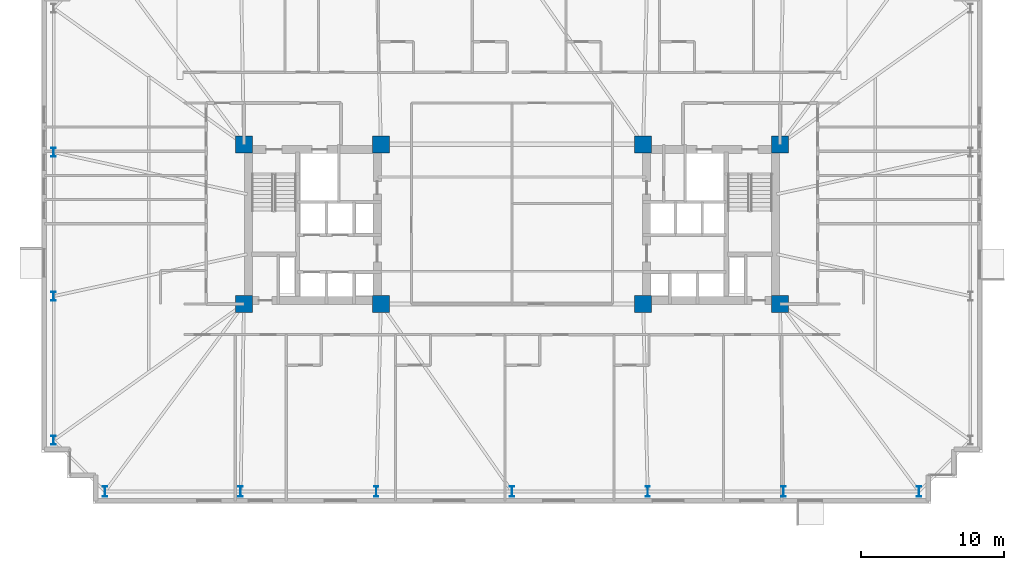
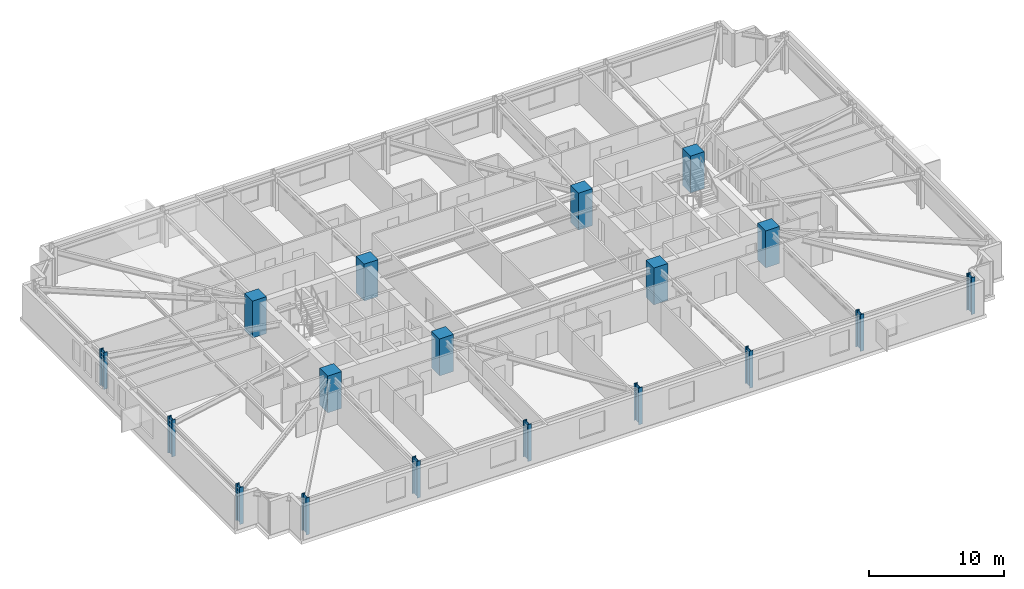
# One storey, part 1 of 22: 18 columns.
"""IFC4 building model written with IfcOpenShell, lengths in metres."""

from ifc_helpers import new_model, si_unit, direction, frame, origin, origin_2d, place, context, subcontext, project, spatial, rectangle, i_section, extrude, material, material_profile, profile_set, type_object, element, save


model = new_model("IFC4")

# Units and contexts
model_context = context("Model", 3, precision=1e-05, world=origin(), true_north=direction((0.0, 1.0)))
body_context = subcontext(model_context, "Body", "Model", "MODEL_VIEW")
ifc_project = project(units=[si_unit("LENGTHUNIT", "METRE"), si_unit("AREAUNIT", "SQUARE_METRE"), si_unit("VOLUMEUNIT", "CUBIC_METRE"), si_unit("PLANEANGLEUNIT", "RADIAN"), si_unit("MASSUNIT", "GRAM", prefix="KILO")], contexts=[model_context])

# Site, building, storey
site_placement = place(None, origin())
site = spatial("IfcSite", under=ifc_project, at=site_placement, CompositionType="ELEMENT")
building_placement = place(site_placement, origin())
building = spatial("IfcBuilding", under=site, at=building_placement, Name="Qobustan Lattice House", CompositionType="ELEMENT")
storey_placement = place(building_placement, frame((0.0, 0.0, 33.699951171875)))
storey = spatial("IfcBuildingStorey", under=building, at=storey_placement, Name="L08", CompositionType="ELEMENT", Elevation=33.699951171875)

# Columns
ifc_material_1 = material(Name="Concrete C60/75", Category="concrete")
ifc_material_profile_1 = material_profile(ifc_material_1, rectangle(XDim=1.199951171875, YDim=1.199951171875, at=origin_2d()), Name="RC1200x1200")
ifc_profile_set_1 = profile_set([ifc_material_profile_1], Name="Concrete C60/75")
column_type_1 = type_object("IfcColumnType", Name="COL-RC-1200", PredefinedType="COLUMN", material=ifc_profile_set_1)
for number, where, z_axis, x_axis, name in (
    (1, (-18.800048828125, -5.60009765625, 0.0), (0.0, 0.0, 1.0), (1.0, 0.0, 0.0), "L08 core mega-column CW-SW"),
    (2, (-18.800048828125, 5.60009765625, 0.0), (0.0, 0.0, 1.0), (1.0, 0.0, 0.0), "L08 core mega-column CW-NW"),
    (3, (-9.199951171875, -5.60009765625, 0.0), (0.0, 0.0, 1.0), (1.0, 0.0, 0.0), "L08 core mega-column CW-SE"),
    (4, (-9.199951171875, 5.60009765625, 0.0), (0.0, 0.0, 1.0), (1.0, 0.0, 0.0), "L08 core mega-column CW-NE"),
    (5, (9.199951171875, -5.60009765625, 0.0), (0.0, 0.0, 1.0), (1.0, 0.0, 0.0), "L08 core mega-column CE-SW"),
    (6, (9.199951171875, 5.60009765625, 0.0), (0.0, 0.0, 1.0), (1.0, 0.0, 0.0), "L08 core mega-column CE-NW"),
    (7, (18.800048828125, -5.60009765625, 0.0), (0.0, 0.0, 1.0), (1.0, 0.0, 0.0), "L08 core mega-column CE-SE"),
    (8, (18.800048828125, 5.60009765625, 0.0), (0.0, 0.0, 1.0), (1.0, 0.0, 0.0), "L08 core mega-column CE-NE"),
):
    element("IfcColumn", number, at=place(storey_placement, frame(where, z_axis=z_axis, x_axis=x_axis)), inside=storey, type_object=column_type_1, Name=name, PredefinedType="COLUMN", context=body_context, shape_type="SweptSolid", body=[
        extrude(rectangle(XDim=1.199951171875, YDim=1.199951171875, at=origin_2d()), origin(), (0.0, 0.0, 1.0), 3.35009765625),
    ])
ifc_material_2 = material(Name="Steel S460", Category="steel")
ifc_material_profile_2 = material_profile(ifc_material_2, i_section(OverallWidth=0.304931640625, OverallDepth=0.6201171875, WebThickness=0.02099609375, FlangeThickness=0.0400390625, FilletRadius=0.027099609375, at=origin_2d()), Name="HEM600")
ifc_profile_set_2 = profile_set([ifc_material_profile_2], Name="Steel S460")
column_type_2 = type_object("IfcColumnType", Name="COL-ST-HEM600", PredefinedType="COLUMN", material=ifc_profile_set_2)
for number, where, z_axis, x_axis, name in (
    (9, (-32.14990234375, 5.050048828125, 0.0), (0.0, 0.0, 1.0), (1.0, 0.0, 0.0), "L08 B1 perimeter column W2"),
    (10, (-32.14990234375, -5.050048828125, 0.0), (0.0, 0.0, 1.0), (1.0, 0.0, 0.0), "L08 B1 perimeter column W3"),
    (11, (-32.14990234375, -15.14990234375, 0.0), (0.0, 0.0, 1.0), (1.0, 0.0, 0.0), "L08 B1 perimeter column W4"),
):
    element("IfcColumn", number, at=place(storey_placement, frame(where, z_axis=z_axis, x_axis=x_axis)), inside=storey, type_object=column_type_2, Name=name, PredefinedType="COLUMN", context=body_context, shape_type="SweptSolid", body=[
        extrude(i_section(OverallWidth=0.304931640625, OverallDepth=0.6201171875, WebThickness=0.02099609375, FlangeThickness=0.0400390625, FilletRadius=0.027099609375, at=origin_2d()), origin(), (0.0, 0.0, 1.0), 3.35009765625),
    ])
ifc_material_3 = material(Name="Steel S460", Category="steel")
ifc_material_profile_3 = material_profile(ifc_material_3, i_section(OverallWidth=0.303955078125, OverallDepth=0.716064453125, WebThickness=0.02099609375, FlangeThickness=0.0400390625, FilletRadius=0.027099609375, at=origin_2d()), Name="HEM700")
ifc_profile_set_3 = profile_set([ifc_material_profile_3], Name="Steel S460")
column_type_3 = type_object("IfcColumnType", Name="COL-ST-HEM700", PredefinedType="COLUMN", material=ifc_profile_set_3)
for number, where, z_axis, x_axis, name in (
    (12, (-28.550048828125, -18.75, 0.0), (0.0, 0.0, 1.0), (1.0, 0.0, 0.0), "L08 B1 perimeter column S1"),
    (13, (-19.033203125, -18.75, 0.0), (0.0, 0.0, 1.0), (1.0, 0.0, 0.0), "L08 B1 perimeter column S2"),
    (14, (-9.5166015625, -18.75, 0.0), (0.0, 0.0, 1.0), (1.0, 0.0, 0.0), "L08 B1 perimeter column S3"),
    (15, (0.0, -18.75, 0.0), (0.0, 0.0, 1.0), (1.0, 0.0, 0.0), "L08 B1 perimeter column S4"),
    (16, (9.5166015625, -18.75, 0.0), (0.0, 0.0, 1.0), (1.0, 0.0, 0.0), "L08 B1 perimeter column S5"),
    (17, (19.033203125, -18.75, 0.0), (0.0, 0.0, 1.0), (1.0, 0.0, 0.0), "L08 B1 perimeter column S6"),
    (18, (28.550048828125, -18.75, 0.0), (0.0, 0.0, 1.0), (1.0, 0.0, 0.0), "L08 B1 perimeter column S7"),
):
    element("IfcColumn", number, at=place(storey_placement, frame(where, z_axis=z_axis, x_axis=x_axis)), inside=storey, type_object=column_type_3, Name=name, PredefinedType="COLUMN", context=body_context, shape_type="SweptSolid", body=[
        extrude(i_section(OverallWidth=0.303955078125, OverallDepth=0.716064453125, WebThickness=0.02099609375, FlangeThickness=0.0400390625, FilletRadius=0.027099609375, at=origin_2d()), origin(), (0.0, 0.0, 1.0), 3.35009765625),
    ])

save(model, "model.ifc")
